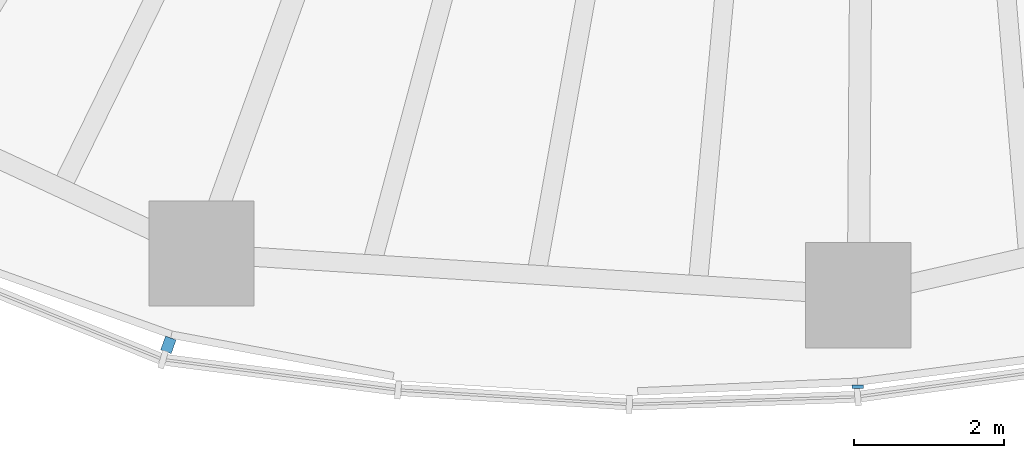
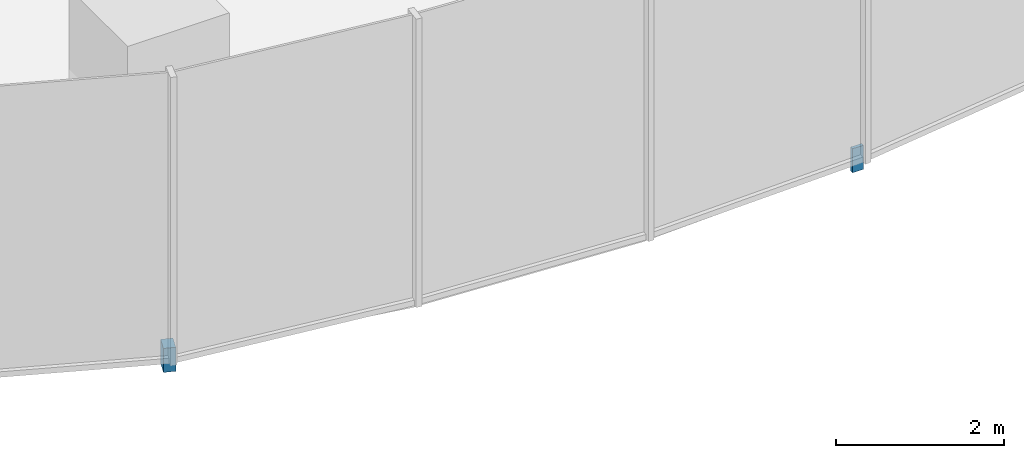
# One storey, part 12 of 18: 2 discrete accessories.
"""IFC4 building model written with IfcOpenShell, lengths in metres."""

import ifcopenshell
import ifcopenshell.guid

model = None  # the IFC model being written
_history = None  # IfcOwnerHistory: only IFC2X3 demands one
_inside = {}  # id of a spatial element -> (the spatial element, [elements in it])
_under = {}  # id of a project, library or spatial element -> (it, [spatial elements below it])
_declared = {}  # id of a project -> (the project, [libraries it declares])
_typed = {}  # id of a type object -> (the type object, [elements of that type])
_made_of = {}  # id of a material, layer set ... -> (it, [elements and type objects made of it])


def new_model(schema):
    """Start an empty IFC model of exactly this schema.

    Asked for "IFC4X3", IfcOpenShell would pick the latest addendum, in which some entities
    have other attributes; the version numbers below select the first issue.
    IFC2X3 requires an IfcOwnerHistory on every rooted entity: one is made here for all.
    """
    global model, _history
    if schema == "IFC4X3":
        model = ifcopenshell.file(schema_version=(4, 3, 0, 0))
    else:
        model = ifcopenshell.file(schema=schema)
    _inside.clear()
    _under.clear()
    _declared.clear()
    _typed.clear()
    _made_of.clear()
    _history = None
    if model.schema == "IFC2X3":
        org = make("IfcOrganization", Name="unknown")
        user = make(
            "IfcPersonAndOrganization",
            ThePerson=make("IfcPerson", FamilyName="unknown"),
            TheOrganization=org,
        )
        app = make(
            "IfcApplication",
            ApplicationDeveloper=org,
            Version="unknown",
            ApplicationFullName="unknown",
            ApplicationIdentifier="unknown",
        )
        _history = make(
            "IfcOwnerHistory",
            OwningUser=user,
            OwningApplication=app,
            ChangeAction="ADDED",
            CreationDate=0,
        )
    return model


def make(cls, **values):
    """One entity of the class cls with the attributes given. An attribute that is None is left unset."""
    return model.create_entity(
        cls, **{name: value for name, value in values.items() if value is not None}
    )


def rooted(cls, **values):
    """An entity with a GlobalId (a new one), such as an element, a storey or a relation."""
    return make(cls, GlobalId=ifcopenshell.guid.new(), OwnerHistory=_history, **values)


def si_unit(unit_type, name, prefix=None):
    """IfcSIUnit, for example si_unit("LENGTHUNIT", "METRE", prefix="MILLI")."""
    return make("IfcSIUnit", UnitType=unit_type, Prefix=prefix, Name=name)


def assignment(units):
    """IfcUnitAssignment: the units of a project."""
    return None if units is None else make("IfcUnitAssignment", Units=units)


def point(xyz):
    """IfcCartesianPoint."""
    return None if xyz is None else make("IfcCartesianPoint", Coordinates=xyz)


def direction(xyz):
    """IfcDirection."""
    return None if xyz is None else make("IfcDirection", DirectionRatios=xyz)


def frame(location, z_axis=None, x_axis=None):
    """IfcAxis2Placement3D, a coordinate frame: its origin and axes. An axis left out is left unset."""
    return make(
        "IfcAxis2Placement3D",
        Location=point(location),
        Axis=direction(z_axis),
        RefDirection=direction(x_axis),
    )


def frame_2d(location, x_axis=None):
    """IfcAxis2Placement2D, a coordinate frame in the plane: its origin and x axis."""
    return make(
        "IfcAxis2Placement2D", Location=point(location), RefDirection=direction(x_axis)
    )


def origin():
    """The frame at (0, 0, 0) with its axes left unset."""
    return frame((0.0, 0.0, 0.0))


def origin_2d():
    """The frame at (0, 0) in the plane with its x axis left unset."""
    return frame_2d((0.0, 0.0))


def place(relative_to, where):
    """IfcLocalPlacement: puts the frame where relative to a parent placement (None: the world)."""
    return make(
        "IfcLocalPlacement", PlacementRelTo=relative_to, RelativePlacement=where
    )


def context(
    kind, dimensions, precision=None, world=None, true_north=None, identifier=None
):
    """IfcGeometricRepresentationContext, for example the 3D "Model" context."""
    return make(
        "IfcGeometricRepresentationContext",
        ContextIdentifier=identifier,
        ContextType=kind,
        CoordinateSpaceDimension=dimensions,
        Precision=precision,
        WorldCoordinateSystem=world,
        TrueNorth=true_north,
    )


def subcontext(parent, identifier, kind, view, scale=None):
    """IfcGeometricRepresentationSubContext, for example "Body" below "Model"."""
    return make(
        "IfcGeometricRepresentationSubContext",
        ContextIdentifier=identifier,
        ContextType=kind,
        ParentContext=parent,
        TargetScale=scale,
        TargetView=view,
    )


def project(units=None, contexts=None):
    """IfcProject with its units and contexts."""
    return rooted(
        "IfcProject",
        Name="project",
        RepresentationContexts=contexts,
        UnitsInContext=assignment(units),
    )


def spatial(cls, under=None, at=None, **own):
    """A site, building, storey or space (cls), placed at a placement, below another one or the project."""
    s = rooted(cls, ObjectPlacement=at, **own)
    if under is not None:
        _under.setdefault(under.id(), (under, []))[1].append(s)
    return s


def profile(cls, at=None, kind="AREA", **sizes):
    """A parametric profile (cls). Its sizes go by their IFC names, for example OverallWidth=200.0."""
    return make(cls, ProfileType=kind, Position=at, **sizes)


def rectangle(**sizes):
    """IfcRectangleProfileDef."""
    return profile("IfcRectangleProfileDef", **sizes)


def extrude(swept, where, along, depth):
    """IfcExtrudedAreaSolid: the profile swept, set in the frame where, extruded along a direction by depth."""
    return make(
        "IfcExtrudedAreaSolid",
        SweptArea=swept,
        Position=where,
        ExtrudedDirection=direction(along),
        Depth=depth,
    )


def shape(context_of_items, identifier, shape_type, items):
    """IfcShapeRepresentation: the items that make up one representation, for example the "Body"."""
    return make(
        "IfcShapeRepresentation",
        ContextOfItems=context_of_items,
        RepresentationIdentifier=identifier,
        RepresentationType=shape_type,
        Items=items,
    )


def material(Name=None, Category=None):
    """IfcMaterial."""
    return make("IfcMaterial", Name=Name, Category=Category)


def made_of(thing, what):
    """Note that an element or type object is made of a material, layer set ...; save() writes the relation."""
    if what is not None:
        _made_of.setdefault(what.id(), (what, []))[1].append(thing)
    return thing


def type_object(cls, material=None, **own):
    """A type object (cls), such as IfcWallType, which elements share."""
    return made_of(rooted(cls, **own), material)


def element(
    cls,
    number,
    at=None,
    inside=None,
    cuts=None,
    type_object=None,
    material=None,
    context=None,
    identifier="Body",
    shape_type=None,
    held_by="IfcProductDefinitionShape",
    body=None,
    shapes=None,
    **own,
):
    """One element of the class cls, such as IfcWall. Its Tag is "e" and its number.

    at: its placement. inside: the storey or other place that contains it. cuts: it is an
    opening in that element (IfcRelVoidsElement). A single representation is given by context,
    identifier, shape_type and body (its items); several are given by shapes. held_by: the class
    of the entity that holds the representations. save() writes the other relations.
    """
    e = rooted(cls, Tag="e%d" % number, ObjectPlacement=at, **own)
    if body is not None:
        shapes = [shape(context, identifier, shape_type, body)]
    if shapes is not None:
        e.Representation = make(held_by, Representations=shapes)
    if inside is not None:
        _inside.setdefault(inside.id(), (inside, []))[1].append(e)
    if cuts is not None:
        rooted(
            "IfcRelVoidsElement", RelatingBuildingElement=cuts, RelatedOpeningElement=e
        )
    if type_object is not None:
        _typed.setdefault(type_object.id(), (type_object, []))[1].append(e)
    return made_of(e, material)


def aggregate(whole, parts):
    """IfcRelAggregates: a whole, such as a stair, and the parts it consists of."""
    return rooted("IfcRelAggregates", RelatingObject=whole, RelatedObjects=parts)


def save(model, path):
    """Write the relations noted so far, then the file.

    IfcRelAggregates (storeys below a building ...), IfcRelContainedInSpatialStructure (elements
    in a storey), IfcRelDefinesByType, IfcRelAssociatesMaterial and IfcRelDeclares: one each for
    every whole, place, type object, material and project.
    """
    for whole, parts in _under.values():
        aggregate(whole, parts)
    for where, things in _inside.values():
        rooted(
            "IfcRelContainedInSpatialStructure",
            RelatedElements=things,
            RelatingStructure=where,
        )
    for kind, things in _typed.values():
        rooted("IfcRelDefinesByType", RelatedObjects=things, RelatingType=kind)
    for what, things in _made_of.values():
        rooted("IfcRelAssociatesMaterial", RelatedObjects=things, RelatingMaterial=what)
    for by, libraries in _declared.values():
        rooted("IfcRelDeclares", RelatingContext=by, RelatedDefinitions=libraries)
    model.write(path)


model = new_model("IFC4")

# Units and contexts
model_context = context("Model", 3, precision=1e-05, world=origin(), true_north=direction((0.0, 1.0)))
body_context = subcontext(model_context, "Body", "Model", "MODEL_VIEW")
ifc_project = project(units=[si_unit("LENGTHUNIT", "METRE"), si_unit("AREAUNIT", "SQUARE_METRE"), si_unit("VOLUMEUNIT", "CUBIC_METRE"), si_unit("PLANEANGLEUNIT", "RADIAN"), si_unit("MASSUNIT", "GRAM", prefix="KILO")], contexts=[model_context])

# Site, building, storey
site_placement = place(None, origin())
site = spatial("IfcSite", under=ifc_project, at=site_placement, CompositionType="ELEMENT")
building_placement = place(site_placement, origin())
building = spatial("IfcBuilding", under=site, at=building_placement, Name="Ghaith Harvest Tower", CompositionType="ELEMENT")
storey_placement = place(building_placement, frame((0.0, 0.0, 168.0)))
storey = spatial("IfcBuildingStorey", under=building, at=storey_placement, Name="L36", CompositionType="ELEMENT", Elevation=168.0)

# Discrete accessories
ifc_material_1 = material(Name="Stainless steel grade 1.4401", Category="steel")
discrete_accessory_type_1 = type_object("IfcDiscreteAccessoryType", Name="CURTAIN WALL BRACKET 195", PredefinedType="BRACKET", material=ifc_material_1)
discrete_accessory_1_placement = place(storey_placement, frame((-9.348388671875, -25.883544921875, -0.25), z_axis=(0.0, 0.0, 1.0), x_axis=(-0.33969945263, -0.940534040789, 0.0)))
element("IfcDiscreteAccessory", 1, at=discrete_accessory_1_placement, inside=storey, type_object=discrete_accessory_type_1, Name="CW-L bracket 1 bay 15 L36", PredefinedType="BRACKET", context=body_context, shape_type="SweptSolid", body=[
    extrude(rectangle(XDim=0.195068359375, YDim=0.14990234375, at=origin_2d()), origin(), (0.0, 0.0, 1.0), 0.35009765625),
])
ifc_material_2 = material(Name="Stainless steel grade 1.4401", Category="steel")
discrete_accessory_type_2 = type_object("IfcDiscreteAccessoryType", Name="CURTAIN WALL BRACKET 45", PredefinedType="BRACKET", material=ifc_material_2)
discrete_accessory_2_placement = place(storey_placement, frame((-0.180908203125, -26.441162109375, -0.25), z_axis=(0.0, 0.0, 1.0), x_axis=(-0.006843747957, -0.999976581283, 0.0)))
element("IfcDiscreteAccessory", 2, at=discrete_accessory_2_placement, inside=storey, type_object=discrete_accessory_type_2, Name="CW-L bracket 1 bay 16 L36", PredefinedType="BRACKET", context=body_context, shape_type="SweptSolid", body=[
    extrude(rectangle(XDim=0.044921875, YDim=0.14990234375, at=origin_2d()), origin(), (0.0, 0.0, 1.0), 0.35009765625),
])

save(model, "model.ifc")
